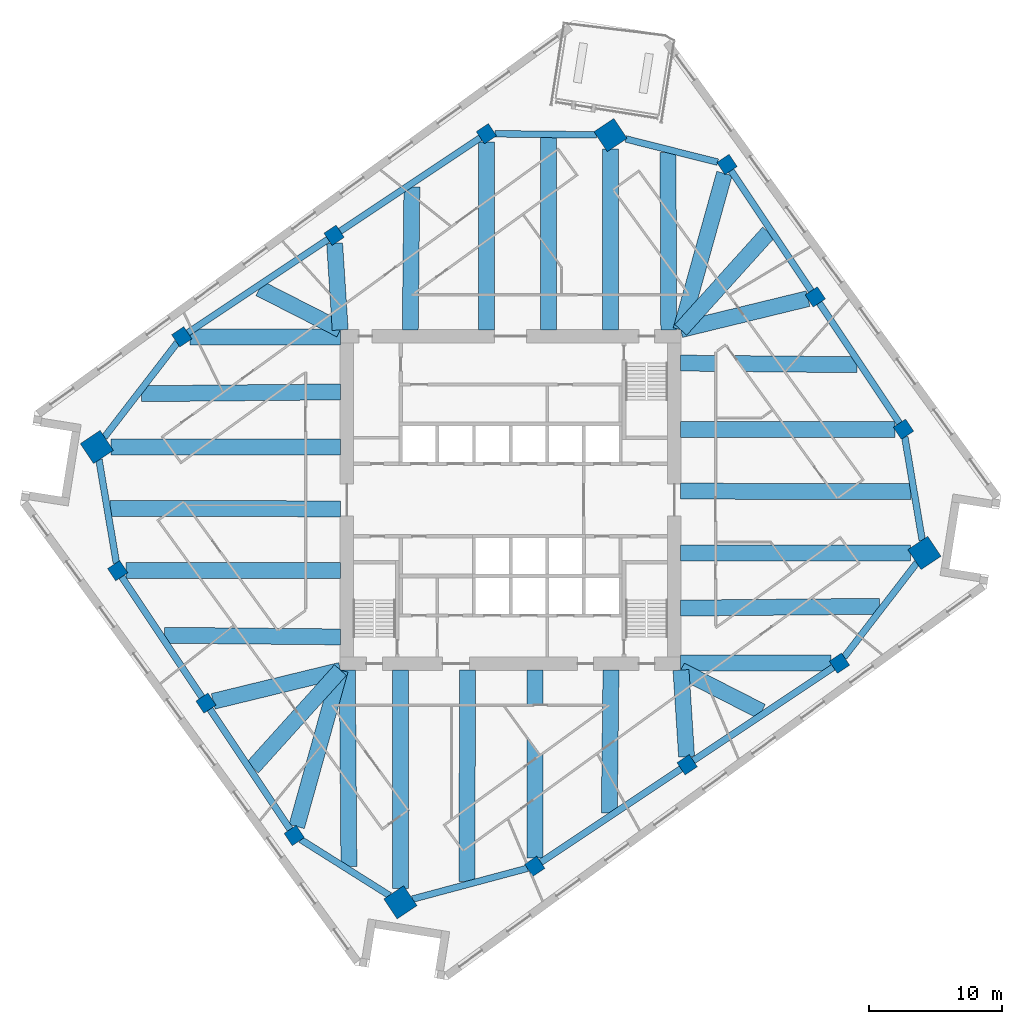
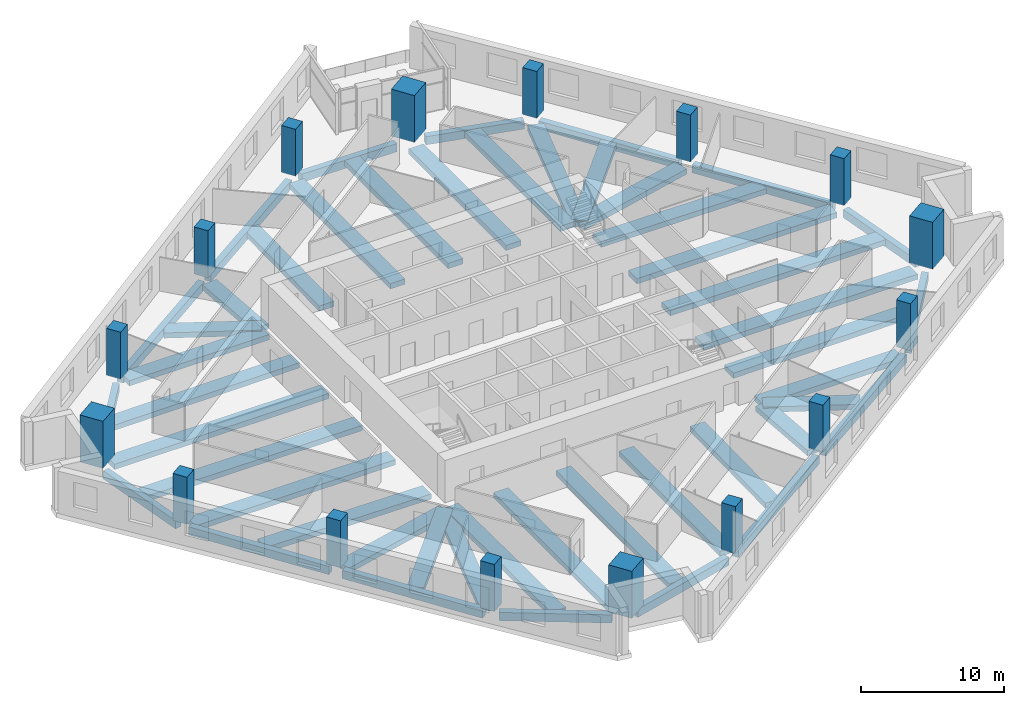
# One storey, part 1 of 11: 48 beams, 16 columns.
"""IFC4 building model written with IfcOpenShell, lengths in metres."""

from ifc_helpers import new_model, si_unit, direction, frame, origin, origin_2d, place, context, subcontext, project, spatial, rectangle, extrude, material, material_profile, profile_set, type_object, element, save


model = new_model("IFC4")

# Units and contexts
model_context = context("Model", 3, precision=1e-05, world=origin(), true_north=direction((0.0, 1.0)))
body_context = subcontext(model_context, "Body", "Model", "MODEL_VIEW")
ifc_project = project(units=[si_unit("LENGTHUNIT", "METRE"), si_unit("AREAUNIT", "SQUARE_METRE"), si_unit("VOLUMEUNIT", "CUBIC_METRE"), si_unit("PLANEANGLEUNIT", "RADIAN"), si_unit("MASSUNIT", "GRAM", prefix="KILO")], contexts=[model_context])

# Site, building, storey
site_placement = place(None, origin())
site = spatial("IfcSite", under=ifc_project, at=site_placement, CompositionType="ELEMENT")
building_placement = place(site_placement, origin())
building = spatial("IfcBuilding", under=site, at=building_placement, Name="Dilmun Exchange Tower", CompositionType="ELEMENT")
storey_placement = place(building_placement, frame((0.0, 0.0, 163.699951171875)))
storey = spatial("IfcBuildingStorey", under=building, at=storey_placement, Name="L38", CompositionType="ELEMENT", Elevation=163.699951171875)

# Columns
ifc_material_1 = material(Name="Concrete C60/75", Category="concrete")
ifc_material_profile_1 = material_profile(ifc_material_1, rectangle(XDim=1.800048828125, YDim=1.800048828125, at=origin_2d()), Name="1800 x 1800")
ifc_profile_set_1 = profile_set([ifc_material_profile_1], Name="Concrete C60/75")
column_type_1 = type_object("IfcColumnType", Name="RC mega column 1800 x 1800 C60/75", PredefinedType="COLUMN", material=ifc_profile_set_1)
for number, where, z_axis, x_axis, name in (
    (1, (7.506103515625, 27.409912109375, 0.0), (0.0, 0.0, 1.0), (0.832028680356, 0.55473261583, 0.0), "Mega column M1"),
    (2, (-31.0791015625, 3.98193359375, 0.0), (0.0, 0.0, 1.0), (0.832028680356, 0.55473261583, 0.0), "Mega column M2"),
    (3, (-8.27587890625, -30.220947265625, 0.0), (0.0, 0.0, 1.0), (0.832028680356, 0.55473261583, 0.0), "Mega column M3"),
    (4, (31.0791015625, -3.98193359375, 0.0), (0.0, 0.0, 1.0), (0.832028680356, 0.55473261583, 0.0), "Mega column M4"),
):
    element("IfcColumn", number, at=place(storey_placement, frame(where, z_axis=z_axis, x_axis=x_axis)), inside=storey, type_object=column_type_1, Name=name, PredefinedType="COLUMN", context=body_context, shape_type="SweptSolid", body=[
        extrude(rectangle(XDim=1.800048828125, YDim=1.800048828125, at=origin_2d()), origin(), (0.0, 0.0, 1.0), 4.0),
    ])
ifc_material_profile_2 = material_profile(ifc_material_1, rectangle(XDim=1.10009765625, YDim=1.10009765625, at=origin_2d()), Name="1100 x 1100")
ifc_profile_set_2 = profile_set([ifc_material_profile_2], Name="Concrete C60/75")
column_type_2 = type_object("IfcColumnType", Name="RC ring column 1100 x 1100 C60/75", PredefinedType="COLUMN", material=ifc_profile_set_2)
for number, where, z_axis, x_axis, name in (
    (5, (-1.818115234375, 27.512939453125, 0.0), (0.0, 0.0, 1.0), (0.832028680356, 0.55473261583, 0.0), "Ring column R01"),
    (6, (-13.258056640625, 19.885009765625, 0.0), (0.0, 0.0, 1.0), (0.832028680356, 0.55473261583, 0.0), "Ring column R02"),
    (7, (-24.698974609375, 12.258056640625, 0.0), (0.0, 0.0, 1.0), (0.832028680356, 0.55473261583, 0.0), "Ring column R03"),
    (8, (-29.510009765625, -5.31201171875, 0.0), (0.0, 0.0, 1.0), (0.832028680356, 0.55473261583, 0.0), "Ring column R04"),
    (9, (-22.881103515625, -15.2548828125, 0.0), (0.0, 0.0, 1.0), (0.832028680356, 0.55473261583, 0.0), "Ring column R05"),
    (10, (-16.251953125, -25.197998046875, 0.0), (0.0, 0.0, 1.0), (0.832028680356, 0.55473261583, 0.0), "Ring column R06"),
    (11, (1.818115234375, -27.512939453125, 0.0), (0.0, 0.0, 1.0), (0.832028680356, 0.55473261583, 0.0), "Ring column R07"),
    (12, (13.258056640625, -19.885009765625, 0.0), (0.0, 0.0, 1.0), (0.832028680356, 0.55473261583, 0.0), "Ring column R08"),
    (13, (24.698974609375, -12.258056640625, 0.0), (0.0, 0.0, 1.0), (0.832028680356, 0.55473261583, 0.0), "Ring column R09"),
    (14, (29.510009765625, 5.31201171875, 0.0), (0.0, 0.0, 1.0), (0.832028680356, 0.55473261583, 0.0), "Ring column R10"),
    (15, (22.881103515625, 15.2548828125, 0.0), (0.0, 0.0, 1.0), (0.832028680356, 0.55473261583, 0.0), "Ring column R11"),
    (16, (16.251953125, 25.197998046875, 0.0), (0.0, 0.0, 1.0), (0.832028680356, 0.55473261583, 0.0), "Ring column R12"),
):
    element("IfcColumn", number, at=place(storey_placement, frame(where, z_axis=z_axis, x_axis=x_axis)), inside=storey, type_object=column_type_2, Name=name, PredefinedType="COLUMN", context=body_context, shape_type="SweptSolid", body=[
        extrude(rectangle(XDim=1.10009765625, YDim=1.10009765625, at=origin_2d()), origin(), (0.0, 0.0, 1.0), 4.0),
    ])

# Beams
ifc_material_2 = material(Name="Concrete C40/50", Category="concrete")
ifc_material_profile_3 = material_profile(ifc_material_2, rectangle(XDim=1.199951171875, YDim=0.449951171875, at=origin_2d()), Name="1200 x 450")
ifc_profile_set_3 = profile_set([ifc_material_profile_3], Name="Concrete C40/50")
beam_type_1 = type_object("IfcBeamType", Name="RC band beam 1200 x 450 C40/50", PredefinedType="BEAM", material=ifc_profile_set_3)
beam_1_placement = place(storey_placement, frame((7.506103515625, 26.355224609375, -0.724853515625), z_axis=(0.0, -1.0, 0.0), x_axis=(1.0, 0.0, 0.0)))
element("IfcBeam", 17, at=beam_1_placement, inside=storey, type_object=beam_type_1, Name="Band beam 1", PredefinedType="BEAM", context=body_context, shape_type="SweptSolid", body=[
    extrude(rectangle(XDim=1.199951171875, YDim=0.449951171875, at=origin_2d()), origin(), (0.0, 0.0, 1.0), 13.582275390625),
])
beam_2_placement = place(storey_placement, frame((-1.818115234375, 26.87890625, -0.724853515625), z_axis=(0.0, -1.0, 0.0), x_axis=(1.0, 0.0, 0.0)))
element("IfcBeam", 18, at=beam_2_placement, inside=storey, type_object=beam_type_1, Name="Band beam 2", PredefinedType="BEAM", context=body_context, shape_type="SweptSolid", body=[
    extrude(rectangle(XDim=1.199951171875, YDim=0.449951171875, at=origin_2d()), origin(), (0.0, 0.0, 1.0), 14.10595703125),
])
beam_3_placement = place(storey_placement, frame((-13.21875, 19.2783203125, -0.724853515625), z_axis=(0.064492965824, -0.997918161654, 0.0), x_axis=(0.997918161654, 0.064492965824, 0.0)))
element("IfcBeam", 19, at=beam_3_placement, inside=storey, type_object=beam_type_1, Name="Band beam 3", PredefinedType="BEAM", context=body_context, shape_type="SweptSolid", body=[
    extrude(rectangle(XDim=1.199951171875, YDim=0.449951171875, at=origin_2d()), origin(), (0.0, 0.0, 1.0), 6.518798828125),
])
beam_4_placement = place(storey_placement, frame((-24.06494140625, 12.258056640625, -0.724853515625), z_axis=(1.0, 0.0, 0.0), x_axis=(0.0, 1.0, 0.0)))
element("IfcBeam", 20, at=beam_4_placement, inside=storey, type_object=beam_type_1, Name="Band beam 4", PredefinedType="BEAM", context=body_context, shape_type="SweptSolid", body=[
    extrude(rectangle(XDim=1.199951171875, YDim=0.449951171875, at=origin_2d()), origin(), (0.0, 0.0, 1.0), 11.2919921875),
])
beam_5_placement = place(storey_placement, frame((-30.0244140625, 3.98193359375, -0.724853515625), z_axis=(1.0, 0.0, 0.0), x_axis=(0.0, 1.0, 0.0)))
element("IfcBeam", 21, at=beam_5_placement, inside=storey, type_object=beam_type_1, Name="Band beam 5", PredefinedType="BEAM", context=body_context, shape_type="SweptSolid", body=[
    extrude(rectangle(XDim=1.199951171875, YDim=0.449951171875, at=origin_2d()), origin(), (0.0, 0.0, 1.0), 17.25146484375),
])
beam_6_placement = place(storey_placement, frame((-28.8759765625, -5.31201171875, -0.724853515625), z_axis=(1.0, 0.0, 0.0), x_axis=(0.0, 1.0, 0.0)))
element("IfcBeam", 22, at=beam_6_placement, inside=storey, type_object=beam_type_1, Name="Band beam 6", PredefinedType="BEAM", context=body_context, shape_type="SweptSolid", body=[
    extrude(rectangle(XDim=1.199951171875, YDim=0.449951171875, at=origin_2d()), origin(), (0.0, 0.0, 1.0), 16.10302734375),
])
beam_7_placement = place(storey_placement, frame((-22.33837890625, -15.122802734375, -0.724853515625), z_axis=(0.971607999859, 0.236596480554, 0.0), x_axis=(-0.236596480554, 0.971607999859, 0.0)))
element("IfcBeam", 23, at=beam_7_placement, inside=storey, type_object=beam_type_1, Name="Band beam 7", PredefinedType="BEAM", context=body_context, shape_type="SweptSolid", body=[
    extrude(rectangle(XDim=1.199951171875, YDim=0.449951171875, at=origin_2d()), origin(), (0.0, 0.0, 1.0), 9.84423828125),
])
beam_8_placement = place(storey_placement, frame((-16.064453125, -24.524658203125, -0.724853515625), z_axis=(0.268225004284, 0.963356292904, 0.0), x_axis=(-0.963356292904, 0.268225004284, 0.0)))
element("IfcBeam", 24, at=beam_8_placement, inside=storey, type_object=beam_type_1, Name="Band beam 8", PredefinedType="BEAM", context=body_context, shape_type="SweptSolid", body=[
    extrude(rectangle(XDim=1.199951171875, YDim=0.449951171875, at=origin_2d()), origin(), (0.0, 0.0, 1.0), 12.19775390625),
])
beam_9_placement = place(storey_placement, frame((-8.27587890625, -29.166259765625, -0.724853515625), z_axis=(0.0, 1.0, 0.0), x_axis=(-1.0, 0.0, 0.0)))
element("IfcBeam", 25, at=beam_9_placement, inside=storey, type_object=beam_type_1, Name="Band beam 9", PredefinedType="BEAM", context=body_context, shape_type="SweptSolid", body=[
    extrude(rectangle(XDim=1.199951171875, YDim=0.449951171875, at=origin_2d()), origin(), (0.0, 0.0, 1.0), 16.393310546875),
])
beam_10_placement = place(storey_placement, frame((1.818115234375, -26.87890625, -0.724853515625), z_axis=(0.0, 1.0, 0.0), x_axis=(-1.0, 0.0, 0.0)))
element("IfcBeam", 26, at=beam_10_placement, inside=storey, type_object=beam_type_1, Name="Band beam 10", PredefinedType="BEAM", context=body_context, shape_type="SweptSolid", body=[
    extrude(rectangle(XDim=1.199951171875, YDim=0.449951171875, at=origin_2d()), origin(), (0.0, 0.0, 1.0), 14.10595703125),
])
beam_11_placement = place(storey_placement, frame((13.21875, -19.2783203125, -0.724853515625), z_axis=(-0.064492965824, 0.997918161654, 0.0), x_axis=(-0.997918161654, -0.064492965824, 0.0)))
element("IfcBeam", 27, at=beam_11_placement, inside=storey, type_object=beam_type_1, Name="Band beam 11", PredefinedType="BEAM", context=body_context, shape_type="SweptSolid", body=[
    extrude(rectangle(XDim=1.199951171875, YDim=0.449951171875, at=origin_2d()), origin(), (0.0, 0.0, 1.0), 6.518798828125),
])
beam_12_placement = place(storey_placement, frame((24.06494140625, -12.258056640625, -0.724853515625), z_axis=(-1.0, 0.0, 0.0), x_axis=(0.0, -1.0, 0.0)))
element("IfcBeam", 28, at=beam_12_placement, inside=storey, type_object=beam_type_1, Name="Band beam 12", PredefinedType="BEAM", context=body_context, shape_type="SweptSolid", body=[
    extrude(rectangle(XDim=1.199951171875, YDim=0.449951171875, at=origin_2d()), origin(), (0.0, 0.0, 1.0), 11.2919921875),
])
beam_13_placement = place(storey_placement, frame((30.0244140625, -3.98193359375, -0.724853515625), z_axis=(-1.0, 0.0, 0.0), x_axis=(0.0, -1.0, 0.0)))
element("IfcBeam", 29, at=beam_13_placement, inside=storey, type_object=beam_type_1, Name="Band beam 13", PredefinedType="BEAM", context=body_context, shape_type="SweptSolid", body=[
    extrude(rectangle(XDim=1.199951171875, YDim=0.449951171875, at=origin_2d()), origin(), (0.0, 0.0, 1.0), 17.25146484375),
])
beam_14_placement = place(storey_placement, frame((28.8759765625, 5.31201171875, -0.724853515625), z_axis=(-1.0, 0.0, 0.0), x_axis=(0.0, -1.0, 0.0)))
element("IfcBeam", 30, at=beam_14_placement, inside=storey, type_object=beam_type_1, Name="Band beam 14", PredefinedType="BEAM", context=body_context, shape_type="SweptSolid", body=[
    extrude(rectangle(XDim=1.199951171875, YDim=0.449951171875, at=origin_2d()), origin(), (0.0, 0.0, 1.0), 16.10302734375),
])
beam_15_placement = place(storey_placement, frame((22.33837890625, 15.122802734375, -0.724853515625), z_axis=(-0.971607999859, -0.236596480554, 0.0), x_axis=(0.236596480554, -0.971607999859, 0.0)))
element("IfcBeam", 31, at=beam_15_placement, inside=storey, type_object=beam_type_1, Name="Band beam 15", PredefinedType="BEAM", context=body_context, shape_type="SweptSolid", body=[
    extrude(rectangle(XDim=1.199951171875, YDim=0.449951171875, at=origin_2d()), origin(), (0.0, 0.0, 1.0), 9.84423828125),
])
beam_16_placement = place(storey_placement, frame((16.064453125, 24.524658203125, -0.724853515625), z_axis=(-0.268225004284, -0.963356292904, 0.0), x_axis=(0.963356292904, -0.268225004284, 0.0)))
element("IfcBeam", 32, at=beam_16_placement, inside=storey, type_object=beam_type_1, Name="Band beam 16", PredefinedType="BEAM", context=body_context, shape_type="SweptSolid", body=[
    extrude(rectangle(XDim=1.199951171875, YDim=0.449951171875, at=origin_2d()), origin(), (0.0, 0.0, 1.0), 12.19775390625),
])
beam_17_placement = place(storey_placement, frame((2.841552734375, 27.238525390625, -0.625), z_axis=(0.00016877352, -0.999999985758, 0.0), x_axis=(0.999999985758, 0.00016877352, 0.0)))
element("IfcBeam", 33, at=beam_17_placement, inside=storey, type_object=beam_type_1, Name="Band beam 17", PredefinedType="BEAM", context=body_context, shape_type="SweptSolid", body=[
    extrude(rectangle(XDim=1.199951171875, YDim=0.449951171875, at=origin_2d()), origin(), (0.0, 0.0, 1.0), 14.465576171875),
])
beam_18_placement = place(storey_placement, frame((-7.414306640625, 23.513427734375, -0.625), z_axis=(-0.011523795482, -0.999933598864, 0.0), x_axis=(0.999933598864, -0.011523795482, 0.0)))
element("IfcBeam", 34, at=beam_18_placement, inside=storey, type_object=beam_type_1, Name="Band beam 18", PredefinedType="BEAM", context=body_context, shape_type="SweptSolid", body=[
    extrude(rectangle(XDim=1.199951171875, YDim=0.449951171875, at=origin_2d()), origin(), (0.0, 0.0, 1.0), 10.7412109375),
])
beam_19_placement = place(storey_placement, frame((-18.854736328125, 15.885986328125, -0.625), z_axis=(0.890922045004, -0.454156261354, 0.0), x_axis=(0.454156261354, 0.890922045004, 0.0)))
element("IfcBeam", 35, at=beam_19_placement, inside=storey, type_object=beam_type_1, Name="Band beam 19", PredefinedType="BEAM", context=body_context, shape_type="SweptSolid", body=[
    extrude(rectangle(XDim=1.199951171875, YDim=0.449951171875, at=origin_2d()), origin(), (0.0, 0.0, 1.0), 6.82275390625),
])
beam_20_placement = place(storey_placement, frame((-27.71240234375, 7.98388671875, -0.625), z_axis=(0.99995842598, 0.009118459957, 0.0), x_axis=(-0.009118459957, 0.99995842598, 0.0)))
element("IfcBeam", 36, at=beam_20_placement, inside=storey, type_object=beam_type_1, Name="Band beam 20", PredefinedType="BEAM", context=body_context, shape_type="SweptSolid", body=[
    extrude(rectangle(XDim=1.199951171875, YDim=0.449951171875, at=origin_2d()), origin(), (0.0, 0.0, 1.0), 14.940185546875),
])
beam_21_placement = place(storey_placement, frame((-30.07470703125, -0.6279296875, -0.625), z_axis=(0.999997699854, -0.002144827713, 0.0), x_axis=(0.002144827713, 0.999997699854, 0.0)))
element("IfcBeam", 37, at=beam_21_placement, inside=storey, type_object=beam_type_1, Name="Band beam 21", PredefinedType="BEAM", context=body_context, shape_type="SweptSolid", body=[
    extrude(rectangle(XDim=1.199951171875, YDim=0.449951171875, at=origin_2d()), origin(), (0.0, 0.0, 1.0), 17.3017578125),
])
beam_22_placement = place(storey_placement, frame((-26.010009765625, -10.159912109375, -0.625), z_axis=(0.999956454863, -0.009332115424, 0.0), x_axis=(0.009332115424, 0.999956454863, 0.0)))
element("IfcBeam", 38, at=beam_22_placement, inside=storey, type_object=beam_type_1, Name="Band beam 22", PredefinedType="BEAM", context=body_context, shape_type="SweptSolid", body=[
    extrude(rectangle(XDim=1.199951171875, YDim=0.449951171875, at=origin_2d()), origin(), (0.0, 0.0, 1.0), 13.237548828125),
])
beam_23_placement = place(storey_placement, frame((-19.381103515625, -20.102783203125, -0.625), z_axis=(0.669462647611, 0.742845719819, 0.0), x_axis=(-0.742845719819, 0.669462647611, 0.0)))
element("IfcBeam", 39, at=beam_23_placement, inside=storey, type_object=beam_type_1, Name="Band beam 23", PredefinedType="BEAM", context=body_context, shape_type="SweptSolid", body=[
    extrude(rectangle(XDim=1.199951171875, YDim=0.449951171875, at=origin_2d()), origin(), (0.0, 0.0, 1.0), 9.857666015625),
])
beam_24_placement = place(storey_placement, frame((-12.145263671875, -27.520751953125, -0.625), z_axis=(-0.008045164826, 0.999967637138, 0.0), x_axis=(-0.999967637138, -0.008045164826, 0.0)))
element("IfcBeam", 40, at=beam_24_placement, inside=storey, type_object=beam_type_1, Name="Band beam 24", PredefinedType="BEAM", context=body_context, shape_type="SweptSolid", body=[
    extrude(rectangle(XDim=1.199951171875, YDim=0.449951171875, at=origin_2d()), origin(), (0.0, 0.0, 1.0), 14.748291015625),
])
beam_25_placement = place(storey_placement, frame((-3.286865234375, -28.651611328125, -0.625), z_axis=(0.003643943273, 0.999993360817, 0.0), x_axis=(-0.999993360817, 0.003643943273, 0.0)))
element("IfcBeam", 41, at=beam_25_placement, inside=storey, type_object=beam_type_1, Name="Band beam 25", PredefinedType="BEAM", context=body_context, shape_type="SweptSolid", body=[
    extrude(rectangle(XDim=1.199951171875, YDim=0.449951171875, at=origin_2d()), origin(), (0.0, 0.0, 1.0), 15.878662109375),
])
beam_26_placement = place(storey_placement, frame((7.414306640625, -23.513427734375, -0.625), z_axis=(0.011523795482, 0.999933598864, 0.0), x_axis=(-0.999933598864, 0.011523795482, 0.0)))
element("IfcBeam", 42, at=beam_26_placement, inside=storey, type_object=beam_type_1, Name="Band beam 26", PredefinedType="BEAM", context=body_context, shape_type="SweptSolid", body=[
    extrude(rectangle(XDim=1.199951171875, YDim=0.449951171875, at=origin_2d()), origin(), (0.0, 0.0, 1.0), 10.7412109375),
])
beam_27_placement = place(storey_placement, frame((18.854736328125, -15.885986328125, -0.625), z_axis=(-0.890922045004, 0.454156261354, 0.0), x_axis=(-0.454156261354, -0.890922045004, 0.0)))
element("IfcBeam", 43, at=beam_27_placement, inside=storey, type_object=beam_type_1, Name="Band beam 27", PredefinedType="BEAM", context=body_context, shape_type="SweptSolid", body=[
    extrude(rectangle(XDim=1.199951171875, YDim=0.449951171875, at=origin_2d()), origin(), (0.0, 0.0, 1.0), 6.82275390625),
])
beam_28_placement = place(storey_placement, frame((27.71240234375, -7.98388671875, -0.625), z_axis=(-0.99995842598, -0.009118459957, 0.0), x_axis=(0.009118459957, -0.99995842598, 0.0)))
element("IfcBeam", 44, at=beam_28_placement, inside=storey, type_object=beam_type_1, Name="Band beam 28", PredefinedType="BEAM", context=body_context, shape_type="SweptSolid", body=[
    extrude(rectangle(XDim=1.199951171875, YDim=0.449951171875, at=origin_2d()), origin(), (0.0, 0.0, 1.0), 14.940185546875),
])
beam_29_placement = place(storey_placement, frame((30.07470703125, 0.6279296875, -0.625), z_axis=(-0.999997699854, 0.002144827713, 0.0), x_axis=(-0.002144827713, -0.999997699854, 0.0)))
element("IfcBeam", 45, at=beam_29_placement, inside=storey, type_object=beam_type_1, Name="Band beam 29", PredefinedType="BEAM", context=body_context, shape_type="SweptSolid", body=[
    extrude(rectangle(XDim=1.199951171875, YDim=0.449951171875, at=origin_2d()), origin(), (0.0, 0.0, 1.0), 17.3017578125),
])
beam_30_placement = place(storey_placement, frame((26.010009765625, 10.159912109375, -0.625), z_axis=(-0.999956454863, 0.009332115424, 0.0), x_axis=(-0.009332115424, -0.999956454863, 0.0)))
element("IfcBeam", 46, at=beam_30_placement, inside=storey, type_object=beam_type_1, Name="Band beam 30", PredefinedType="BEAM", context=body_context, shape_type="SweptSolid", body=[
    extrude(rectangle(XDim=1.199951171875, YDim=0.449951171875, at=origin_2d()), origin(), (0.0, 0.0, 1.0), 13.237548828125),
])
beam_31_placement = place(storey_placement, frame((19.381103515625, 20.102783203125, -0.625), z_axis=(-0.669462647611, -0.742845719819, 0.0), x_axis=(0.742845719819, -0.669462647611, 0.0)))
element("IfcBeam", 47, at=beam_31_placement, inside=storey, type_object=beam_type_1, Name="Band beam 31", PredefinedType="BEAM", context=body_context, shape_type="SweptSolid", body=[
    extrude(rectangle(XDim=1.199951171875, YDim=0.449951171875, at=origin_2d()), origin(), (0.0, 0.0, 1.0), 9.857666015625),
])
beam_32_placement = place(storey_placement, frame((11.82421875, 26.087890625, -0.625), z_axis=(0.004107193345, -0.999991565446, 0.0), x_axis=(0.999991565446, 0.004107193345, 0.0)))
element("IfcBeam", 48, at=beam_32_placement, inside=storey, type_object=beam_type_1, Name="Band beam 32", PredefinedType="BEAM", context=body_context, shape_type="SweptSolid", body=[
    extrude(rectangle(XDim=1.199951171875, YDim=0.449951171875, at=origin_2d()), origin(), (0.0, 0.0, 1.0), 13.31494140625),
])
ifc_material_profile_4 = material_profile(ifc_material_2, rectangle(XDim=0.5, YDim=0.699951171875, at=origin_2d()), Name="500 x 700")
ifc_profile_set_4 = profile_set([ifc_material_profile_4], Name="Concrete C40/50")
beam_type_2 = type_object("IfcBeamType", Name="RC ring beam 500 x 700 C40/50", PredefinedType="SPANDREL", material=ifc_profile_set_4)
beam_33_placement = place(storey_placement, frame((6.443359375, 27.421630859375, -0.75), z_axis=(-0.999938955437, 0.011049226175, 0.0), x_axis=(-0.011049226175, -0.999938955437, 0.0)))
element("IfcBeam", 49, at=beam_33_placement, inside=storey, type_object=beam_type_2, Name="Ring beam 1", PredefinedType="SPANDREL", context=body_context, shape_type="SweptSolid", body=[
    extrude(rectangle(XDim=0.5, YDim=0.699951171875, at=origin_2d()), origin(), (0.0, 0.0, 1.0), 7.623046875),
])
beam_34_placement = place(storey_placement, frame((-2.253173828125, 27.222900390625, -0.75), z_axis=(-0.832002986666, -0.554771151177, 0.0), x_axis=(0.554771151177, -0.832002986666, 0.0)))
element("IfcBeam", 50, at=beam_34_placement, inside=storey, type_object=beam_type_2, Name="Ring beam 2", PredefinedType="SPANDREL", context=body_context, shape_type="SweptSolid", body=[
    extrude(rectangle(XDim=0.5, YDim=0.699951171875, at=origin_2d()), origin(), (0.0, 0.0, 1.0), 12.7041015625),
])
beam_35_placement = place(storey_placement, frame((-13.693115234375, 19.594970703125, -0.75), z_axis=(-0.832062120058, -0.554682457235, 0.0), x_axis=(0.554682457235, -0.832062120058, 0.0)))
element("IfcBeam", 51, at=beam_35_placement, inside=storey, type_object=beam_type_2, Name="Ring beam 3", PredefinedType="SPANDREL", context=body_context, shape_type="SweptSolid", body=[
    extrude(rectangle(XDim=0.5, YDim=0.699951171875, at=origin_2d()), origin(), (0.0, 0.0, 1.0), 12.704345703125),
])
beam_36_placement = place(storey_placement, frame((-25.037109375, 11.819580078125, -0.75), z_axis=(-0.610521727247, -0.791999507929, 0.0), x_axis=(0.791999507929, -0.610521727247, 0.0)))
element("IfcBeam", 52, at=beam_36_placement, inside=storey, type_object=beam_type_2, Name="Ring beam 4", PredefinedType="SPANDREL", context=body_context, shape_type="SweptSolid", body=[
    extrude(rectangle(XDim=0.5, YDim=0.699951171875, at=origin_2d()), origin(), (0.0, 0.0, 1.0), 8.97314453125),
])
beam_37_placement = place(storey_placement, frame((-30.91943359375, 3.036376953125, -0.75), z_axis=(0.166485785433, -0.986043854628, 0.0), x_axis=(0.986043854628, 0.166485785433, 0.0)))
element("IfcBeam", 53, at=beam_37_placement, inside=storey, type_object=beam_type_2, Name="Ring beam 5", PredefinedType="SPANDREL", context=body_context, shape_type="SweptSolid", body=[
    extrude(rectangle(XDim=0.5, YDim=0.699951171875, at=origin_2d()), origin(), (0.0, 0.0, 1.0), 7.890869140625),
])
for number, where, z_axis, x_axis, name in (
    (54, (-29.219970703125, -5.747314453125, -0.75), (0.554731197186, -0.832029626196, 0.0), (0.832029626196, 0.554731197186, 0.0), "Ring beam 6"),
    (55, (-22.5908203125, -15.690185546875, -0.75), (0.554731197186, -0.832029626196, 0.0), (0.832029626196, 0.554731197186, 0.0), "Ring beam 7"),
):
    element("IfcBeam", number, at=place(storey_placement, frame(where, z_axis=z_axis, x_axis=x_axis)), inside=storey, type_object=beam_type_2, Name=name, PredefinedType="SPANDREL", context=body_context, shape_type="SweptSolid", body=[
        extrude(rectangle(XDim=0.5, YDim=0.699951171875, at=origin_2d()), origin(), (0.0, 0.0, 1.0), 10.904052734375),
    ])
beam_38_placement = place(storey_placement, frame((-15.764892578125, -25.504638671875, -0.75), z_axis=(0.846177038183, -0.532901885953, 0.0), x_axis=(0.532901885953, 0.846177038183, 0.0)))
element("IfcBeam", 56, at=beam_38_placement, inside=storey, type_object=beam_type_2, Name="Ring beam 8", PredefinedType="SPANDREL", context=body_context, shape_type="SweptSolid", body=[
    extrude(rectangle(XDim=0.5, YDim=0.699951171875, at=origin_2d()), origin(), (0.0, 0.0, 1.0), 7.891357421875),
])
beam_39_placement = place(storey_placement, frame((-7.384521484375, -29.981689453125, -0.75), z_axis=(0.965850974034, 0.259098236113, 0.0), x_axis=(-0.259098236113, 0.965850974034, 0.0)))
element("IfcBeam", 57, at=beam_39_placement, inside=storey, type_object=beam_type_2, Name="Ring beam 9", PredefinedType="SPANDREL", context=body_context, shape_type="SweptSolid", body=[
    extrude(rectangle(XDim=0.5, YDim=0.699951171875, at=origin_2d()), origin(), (0.0, 0.0, 1.0), 8.97412109375),
])
beam_40_placement = place(storey_placement, frame((2.253173828125, -27.222900390625, -0.75), z_axis=(0.832002986666, 0.554771151177, 0.0), x_axis=(-0.554771151177, 0.832002986666, 0.0)))
element("IfcBeam", 58, at=beam_40_placement, inside=storey, type_object=beam_type_2, Name="Ring beam 10", PredefinedType="SPANDREL", context=body_context, shape_type="SweptSolid", body=[
    extrude(rectangle(XDim=0.5, YDim=0.699951171875, at=origin_2d()), origin(), (0.0, 0.0, 1.0), 12.7041015625),
])
beam_41_placement = place(storey_placement, frame((13.693115234375, -19.594970703125, -0.75), z_axis=(0.832062120058, 0.554682457235, 0.0), x_axis=(-0.554682457235, 0.832062120058, 0.0)))
element("IfcBeam", 59, at=beam_41_placement, inside=storey, type_object=beam_type_2, Name="Ring beam 11", PredefinedType="SPANDREL", context=body_context, shape_type="SweptSolid", body=[
    extrude(rectangle(XDim=0.5, YDim=0.699951171875, at=origin_2d()), origin(), (0.0, 0.0, 1.0), 12.704345703125),
])
beam_42_placement = place(storey_placement, frame((25.037109375, -11.819580078125, -0.75), z_axis=(0.610521727247, 0.791999507929, 0.0), x_axis=(-0.791999507929, 0.610521727247, 0.0)))
element("IfcBeam", 60, at=beam_42_placement, inside=storey, type_object=beam_type_2, Name="Ring beam 12", PredefinedType="SPANDREL", context=body_context, shape_type="SweptSolid", body=[
    extrude(rectangle(XDim=0.5, YDim=0.699951171875, at=origin_2d()), origin(), (0.0, 0.0, 1.0), 8.97314453125),
])
beam_43_placement = place(storey_placement, frame((30.91943359375, -3.036376953125, -0.75), z_axis=(-0.166485785433, 0.986043854628, 0.0), x_axis=(-0.986043854628, -0.166485785433, 0.0)))
element("IfcBeam", 61, at=beam_43_placement, inside=storey, type_object=beam_type_2, Name="Ring beam 13", PredefinedType="SPANDREL", context=body_context, shape_type="SweptSolid", body=[
    extrude(rectangle(XDim=0.5, YDim=0.699951171875, at=origin_2d()), origin(), (0.0, 0.0, 1.0), 7.890869140625),
])
for number, where, z_axis, x_axis, name in (
    (62, (29.219970703125, 5.747314453125, -0.75), (-0.554731197186, 0.832029626196, 0.0), (-0.832029626196, -0.554731197186, 0.0), "Ring beam 14"),
    (63, (22.5908203125, 15.690185546875, -0.75), (-0.554731197186, 0.832029626196, 0.0), (-0.832029626196, -0.554731197186, 0.0), "Ring beam 15"),
):
    element("IfcBeam", number, at=place(storey_placement, frame(where, z_axis=z_axis, x_axis=x_axis)), inside=storey, type_object=beam_type_2, Name=name, PredefinedType="SPANDREL", context=body_context, shape_type="SweptSolid", body=[
        extrude(rectangle(XDim=0.5, YDim=0.699951171875, at=origin_2d()), origin(), (0.0, 0.0, 1.0), 10.904052734375),
    ])
beam_44_placement = place(storey_placement, frame((15.559326171875, 25.373291015625, -0.75), z_axis=(-0.96947736899, 0.245180812903, 0.0), x_axis=(-0.245180812903, -0.96947736899, 0.0)))
element("IfcBeam", 64, at=beam_44_placement, inside=storey, type_object=beam_type_2, Name="Ring beam 16", PredefinedType="SPANDREL", context=body_context, shape_type="SweptSolid", body=[
    extrude(rectangle(XDim=0.5, YDim=0.699951171875, at=origin_2d()), origin(), (0.0, 0.0, 1.0), 7.12060546875),
])

save(model, "model.ifc")
